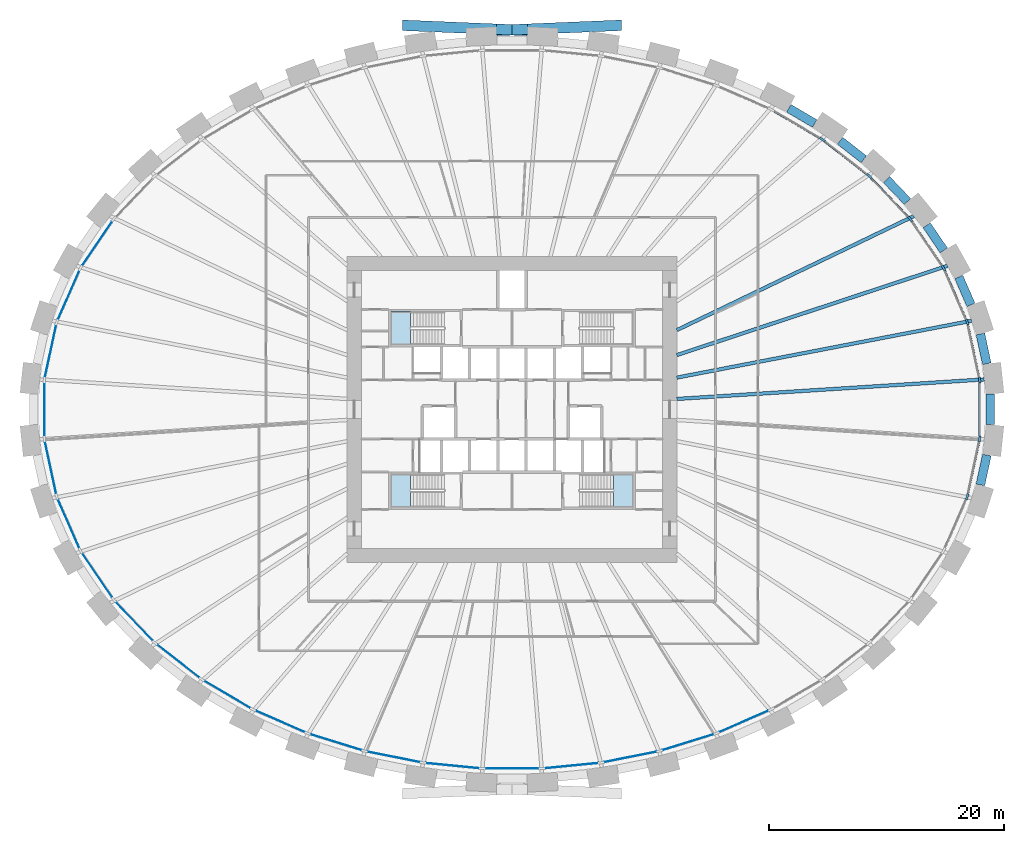
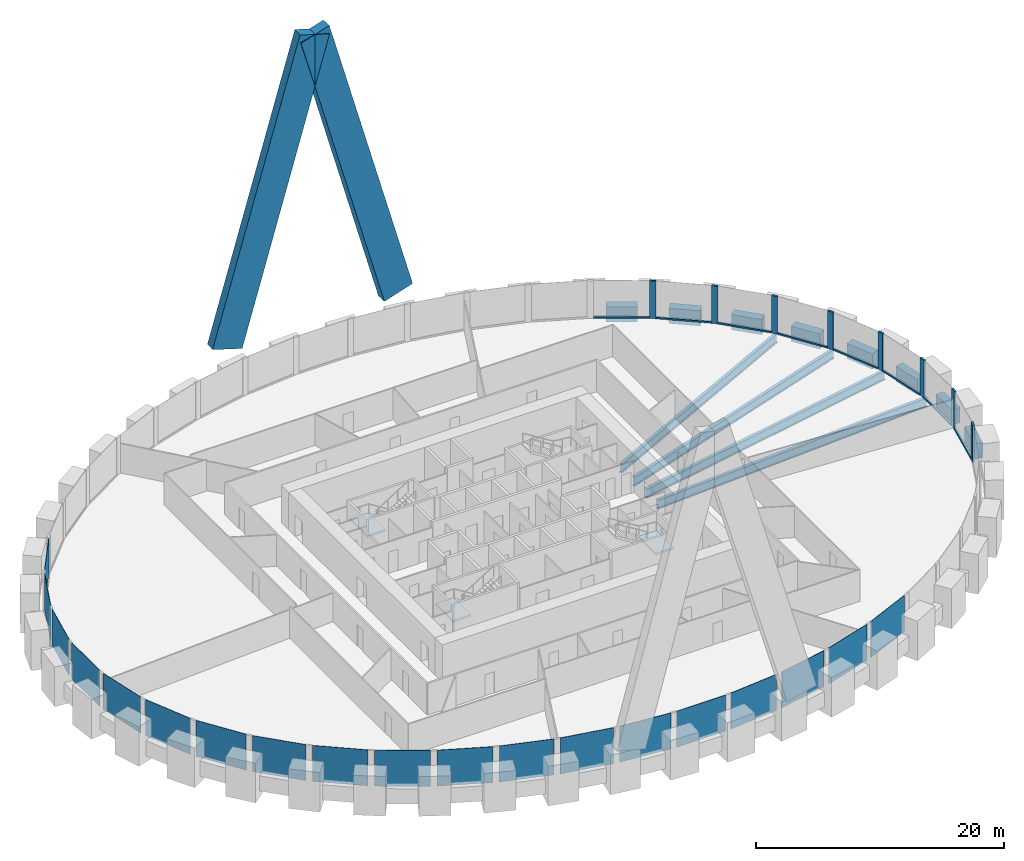
# One storey, part 4 of 10: 19 plates, 18 members, 12 beams, 3 slabs, 4 elements without a shape of their own.
"""IFC4 building model written with IfcOpenShell, lengths in metres."""

from ifc_helpers import new_model, si_unit, direction, frame, origin, origin_2d, place, context, subcontext, project, spatial, polyline, rectangle, i_section, outline, extrude, source, transform, mapped, material, layer, layer_set, material_profile, profile_set, type_object, element, aggregate, save


model = new_model("IFC4")

# Units and contexts
model_context = context("Model", 3, precision=1e-05, world=origin(), true_north=direction((0.0, 1.0)))
body_context = subcontext(model_context, "Body", "Model", "MODEL_VIEW")
ifc_project = project(units=[si_unit("LENGTHUNIT", "METRE"), si_unit("AREAUNIT", "SQUARE_METRE"), si_unit("VOLUMEUNIT", "CUBIC_METRE"), si_unit("PLANEANGLEUNIT", "RADIAN"), si_unit("MASSUNIT", "GRAM", prefix="KILO")], contexts=[model_context])

# Site, building, storey
site_placement = place(None, origin())
site = spatial("IfcSite", under=ifc_project, at=site_placement, CompositionType="ELEMENT")
building_placement = place(site_placement, origin())
building = spatial("IfcBuilding", under=site, at=building_placement, Name="Embergate Tower", CompositionType="ELEMENT")
storey_placement = place(building_placement, frame((0.0, 0.0, 89.300048828125)))
storey = spatial("IfcBuildingStorey", under=building, at=storey_placement, Name="L18", CompositionType="ELEMENT", Elevation=89.300048828125)

# Beams
ifc_material_1 = material(Name="Concrete C70", Category="concrete")
ifc_material_profile_1 = material_profile(ifc_material_1, rectangle(XDim=0.75, YDim=1.5, at=origin_2d()), Name="RC 750x1500")
ifc_profile_set_1 = profile_set([ifc_material_profile_1], Name="Concrete C70")
beam_type_1 = type_object("IfcBeamType", Name="Spandrel beam RC 750x1500 C70", PredefinedType="BEAM", material=ifc_profile_set_1)
shared_shape_1 = source(origin(), body_context, "Body", "SweptSolid", [
    extrude(rectangle(XDim=0.75, YDim=1.5, at=origin_2d()), origin(), (0.0, 0.0, 1.0), 2.5869140625),
])
for number, where, z_axis, x_axis, name in (
    (1, (40.343017578125, 3.8798828125, 0.0), (-0.210270227171, 0.977643304874, 0.0), (-0.977643304874, -0.210270227171, 0.0), "SPN-L18-00"),
    (2, (39.799072265625, -6.408935546875, 0.0), (0.210270227171, 0.977643304874, 0.0), (-0.977643304874, 0.210270227171, 0.0), "SPN-L18-42"),
):
    element("IfcBeam", number, at=place(storey_placement, frame(where, z_axis=z_axis, x_axis=x_axis)), inside=storey, type_object=beam_type_1, Name=name, PredefinedType="BEAM", context=body_context, shape_type="MappedRepresentation", body=[
        mapped(shared_shape_1, transform((0.0, 0.0, 0.0))),
    ])
shared_shape_2 = source(origin(), body_context, "Body", "SweptSolid", [
    extrude(rectangle(XDim=0.75, YDim=1.5, at=origin_2d()), origin(), (0.0, 0.0, 1.0), 2.583251953125),
])
beam_1_placement = place(storey_placement, frame((38.9990234375, 8.883056640625, 0.0), z_axis=(-0.401468201792, 0.915872962233, 0.0), x_axis=(-0.915872962233, -0.401468201792, 0.0)))
element("IfcBeam", 3, at=beam_1_placement, inside=storey, type_object=beam_type_1, Name="SPN-L18-01", PredefinedType="BEAM", context=body_context, shape_type="MappedRepresentation", body=[
    mapped(shared_shape_2, transform((0.0, 0.0, 0.0))),
])
shared_shape_3 = source(origin(), body_context, "Body", "SweptSolid", [
    extrude(rectangle(XDim=0.75, YDim=1.5, at=origin_2d()), origin(), (0.0, 0.0, 1.0), 2.574951171875),
])
beam_2_placement = place(storey_placement, frame((36.68603515625, 13.513916015625, 0.0), z_axis=(-0.562356702599, 0.826894756932, 0.0), x_axis=(-0.826894756932, -0.562356702599, 0.0)))
element("IfcBeam", 4, at=beam_2_placement, inside=storey, type_object=beam_type_1, Name="SPN-L18-02", PredefinedType="BEAM", context=body_context, shape_type="MappedRepresentation", body=[
    mapped(shared_shape_3, transform((0.0, 0.0, 0.0))),
])
shared_shape_4 = source(origin(), body_context, "Body", "SweptSolid", [
    extrude(rectangle(XDim=0.75, YDim=1.5, at=origin_2d()), origin(), (0.0, 0.0, 1.0), 2.568115234375),
])
beam_3_placement = place(storey_placement, frame((33.60400390625, 17.6650390625, 0.0), z_axis=(-0.68998268655, 0.723825871506, 0.0), x_axis=(-0.723825871506, -0.68998268655, 0.0)))
element("IfcBeam", 5, at=beam_3_placement, inside=storey, type_object=beam_type_1, Name="SPN-L18-03", PredefinedType="BEAM", context=body_context, shape_type="MappedRepresentation", body=[
    mapped(shared_shape_4, transform((0.0, 0.0, 0.0))),
])
shared_shape_5 = source(origin(), body_context, "Body", "SweptSolid", [
    extrude(rectangle(XDim=0.75, YDim=1.5, at=origin_2d()), origin(), (0.0, 0.0, 1.0), 2.560791015625),
])
beam_4_placement = place(storey_placement, frame((29.89111328125, 21.25390625, 0.0), z_axis=(-0.788437573921, 0.615114779557, 0.0), x_axis=(-0.615114779557, -0.788437573921, 0.0)))
element("IfcBeam", 6, at=beam_4_placement, inside=storey, type_object=beam_type_1, Name="SPN-L18-04", PredefinedType="BEAM", context=body_context, shape_type="MappedRepresentation", body=[
    mapped(shared_shape_5, transform((0.0, 0.0, 0.0))),
])
shared_shape_6 = source(origin(), body_context, "Body", "SweptSolid", [
    extrude(rectangle(XDim=0.75, YDim=1.5, at=origin_2d()), origin(), (0.0, 0.0, 1.0), 2.55517578125),
])
beam_5_placement = place(storey_placement, frame((25.721923828125, 24.291015625, 0.0), z_axis=(-0.862086455961, 0.506761228241, 0.0), x_axis=(-0.506761228241, -0.862086455961, 0.0)))
element("IfcBeam", 7, at=beam_5_placement, inside=storey, type_object=beam_type_1, Name="SPN-L18-05", PredefinedType="BEAM", context=body_context, shape_type="MappedRepresentation", body=[
    mapped(shared_shape_6, transform((0.0, 0.0, 0.0))),
])
shared_shape_7 = source(origin(), body_context, "Body", "SweptSolid", [
    extrude(rectangle(XDim=0.75, YDim=1.5, at=origin_2d()), origin(), (0.0, 0.0, 1.0), 2.59423828125),
])
beam_6_placement = place(storey_placement, frame((40.637939453125, -1.297119140625, 0.0), z_axis=(0.0, 1.0, 0.0), x_axis=(-1.0, 0.0, 0.0)))
element("IfcBeam", 8, at=beam_6_placement, inside=storey, type_object=beam_type_1, Name="SPN-L18-43", PredefinedType="BEAM", context=body_context, shape_type="MappedRepresentation", body=[
    mapped(shared_shape_7, transform((0.0, 0.0, 0.0))),
])
ifc_material_2 = material(Name="Steel Q355B", Category="steel")
ifc_material_profile_2 = material_profile(ifc_material_2, i_section(OverallWidth=0.300048828125, OverallDepth=0.89990234375, WebThickness=0.01611328125, FlangeThickness=0.028076171875, FilletRadius=0.028076171875, at=origin_2d()), Name="HN 900x300x16x28")
ifc_profile_set_2 = profile_set([ifc_material_profile_2], Name="Steel Q355 grade B")
beam_type_2 = type_object("IfcBeamType", Name="Radial girder HN 900x300x16x28", PredefinedType="BEAM", material=ifc_profile_set_2)
shared_shape_8 = source(origin(), body_context, "Body", "SweptSolid", [
    extrude(i_section(OverallWidth=0.300048828125, OverallDepth=0.89990234375, WebThickness=0.01611328125, FlangeThickness=0.028076171875, FilletRadius=0.028076171875, at=origin_2d()), origin(), (0.0, 0.0, 1.0), 26.17578125),
])
beam_7_placement = place(storey_placement, frame((40.123046875, 2.549072265625, -0.650146484375), z_axis=(-0.997989066798, -0.063386296243, 0.0), x_axis=(0.063386296243, -0.997989066798, 0.0)))
element("IfcBeam", 9, at=beam_7_placement, inside=storey, type_object=beam_type_2, Name="GIR-L18-00", PredefinedType="BEAM", context=body_context, shape_type="MappedRepresentation", body=[
    mapped(shared_shape_8, transform((0.0, 0.0, 0.0))),
])
shared_shape_9 = source(origin(), body_context, "Body", "SweptSolid", [
    extrude(i_section(OverallWidth=0.300048828125, OverallDepth=0.89990234375, WebThickness=0.01611328125, FlangeThickness=0.028076171875, FilletRadius=0.028076171875, at=origin_2d()), origin(), (0.0, 0.0, 1.0), 25.5126953125),
])
beam_8_placement = place(storey_placement, frame((39.051025390625, 7.532958984375, -0.650146484375), z_axis=(-0.981900703084, -0.189396434187, 0.0), x_axis=(0.189396434187, -0.981900703084, 0.0)))
element("IfcBeam", 10, at=beam_8_placement, inside=storey, type_object=beam_type_2, Name="GIR-L18-01", PredefinedType="BEAM", context=body_context, shape_type="MappedRepresentation", body=[
    mapped(shared_shape_9, transform((0.0, 0.0, 0.0))),
])
shared_shape_10 = source(origin(), body_context, "Body", "SweptSolid", [
    extrude(i_section(OverallWidth=0.300048828125, OverallDepth=0.89990234375, WebThickness=0.01611328125, FlangeThickness=0.028076171875, FilletRadius=0.028076171875, at=origin_2d()), origin(), (0.0, 0.0, 1.0), 24.221435546875),
])
beam_9_placement = place(storey_placement, frame((37.0029296875, 12.202880859375, -0.650146484375), z_axis=(-0.949690422, -0.313190201575, 0.0), x_axis=(0.313190201575, -0.949690422, 0.0)))
element("IfcBeam", 11, at=beam_9_placement, inside=storey, type_object=beam_type_2, Name="GIR-L18-02", PredefinedType="BEAM", context=body_context, shape_type="MappedRepresentation", body=[
    mapped(shared_shape_10, transform((0.0, 0.0, 0.0))),
])
shared_shape_11 = source(origin(), body_context, "Body", "SweptSolid", [
    extrude(i_section(OverallWidth=0.300048828125, OverallDepth=0.89990234375, WebThickness=0.01611328125, FlangeThickness=0.028076171875, FilletRadius=0.028076171875, at=origin_2d()), origin(), (0.0, 0.0, 1.0), 22.343505859375),
])
beam_10_placement = place(storey_placement, frame((34.135009765625, 16.4208984375, -0.650146484375), z_axis=(-0.901156313857, -0.433494288308, 0.0), x_axis=(0.433494288308, -0.901156313857, 0.0)))
element("IfcBeam", 12, at=beam_10_placement, inside=storey, type_object=beam_type_2, Name="GIR-L18-03", PredefinedType="BEAM", context=body_context, shape_type="MappedRepresentation", body=[
    mapped(shared_shape_11, transform((0.0, 0.0, 0.0))),
])

# Members
ifc_material_profile_3 = material_profile(ifc_material_1, rectangle(XDim=0.89990234375, YDim=2.800048828125, at=origin_2d()), Name="RC 900x2800")
ifc_profile_set_3 = profile_set([ifc_material_profile_3], Name="Concrete C70")
member_type_1 = type_object("IfcMemberType", Name="Lattice diagonal terracotta-faced RC 900x2800", PredefinedType="BRACE", material=ifc_profile_set_3)
shared_shape_12 = source(origin(), body_context, "Body", "SweptSolid", [
    extrude(rectangle(XDim=0.89990234375, YDim=2.800048828125, at=origin_2d()), origin(), (0.0, 0.0, 1.0), 29.514892578125),
])
for number, where, z_axis, x_axis, name in (
    (13, (7.95703125, 32.5830078125, 3.3798828125), (-0.269593534164, -0.011249607464, 0.962908496519), (0.041691749772, -0.999130521004, 0.0), "BRP-N-0-04"),
    (14, (-7.95703125, 32.5830078125, 3.3798828125), (0.269593534164, -0.011249607464, 0.962908496519), (0.041691749772, 0.999130521004, 0.0), "BRP-N-1-04"),
):
    element("IfcMember", number, at=place(storey_placement, frame(where, z_axis=z_axis, x_axis=x_axis)), inside=storey, type_object=member_type_1, Name=name, PredefinedType="BRACE", context=body_context, shape_type="MappedRepresentation", body=[
        mapped(shared_shape_12, transform((0.0, 0.0, 0.0))),
    ])

# Curtain wall, members, plates
ifc_material_3 = material(Name="Aluminium and glass", Category="aluminium")
curtain_wall_type = type_object("IfcCurtainWallType", Name="Recessed office glazing", PredefinedType="NOTDEFINED", material=ifc_material_3)
curtain_wall_placement = place(storey_placement, origin())
curtain_wall = element("IfcCurtainWall", 15, at=curtain_wall_placement, inside=storey, type_object=curtain_wall_type, Name="Recessed office glazing ring", ObjectType="RECESSED OFFICE GLAZING", PredefinedType="USERDEFINED")
ifc_material_4 = material(Name="Aluminium, thermally broken", Category="aluminium")
ifc_material_profile_4 = material_profile(ifc_material_4, rectangle(XDim=0.179931640625, YDim=0.52001953125, at=origin_2d()), Name="AL 520x180")
ifc_profile_set_4 = profile_set([ifc_material_profile_4], Name="Aluminium, thermally broken")
member_type_2 = type_object("IfcMemberType", Name="Office mullion", PredefinedType="MULLION", material=ifc_profile_set_4)
shared_shape_13 = source(origin(), body_context, "Body", "SweptSolid", [
    extrude(rectangle(XDim=0.179931640625, YDim=0.52001953125, at=origin_2d()), origin(), (0.0, 0.0, 1.0), 3.699951171875),
])
member_1_placement = place(storey_placement, frame((39.735595703125, 2.507080078125, 0.0), z_axis=(0.0, 0.0, 1.0), x_axis=(-0.994385139431, -0.105821521816, 0.0)))
member_1 = element("IfcMember", 16, at=member_1_placement, type_object=member_type_2, Name="CW mullion 1", PredefinedType="MULLION", context=body_context, shape_type="MappedRepresentation", body=[
    mapped(shared_shape_13, transform((0.0, 0.0, 0.0))),
])
member_2_placement = place(storey_placement, frame((38.68017578125, 7.412109375, 0.0), z_axis=(0.0, 0.0, 1.0), x_axis=(-0.95149940886, -0.307650572791, 0.0)))
member_2 = element("IfcMember", 17, at=member_2_placement, type_object=member_type_2, Name="CW mullion 2", PredefinedType="MULLION", context=body_context, shape_type="MappedRepresentation", body=[
    mapped(shared_shape_13, transform((0.0, 0.0, 0.0))),
])
member_3_placement = place(storey_placement, frame((36.662109375, 12.012939453125, 0.0), z_axis=(0.0, 0.0, 1.0), x_axis=(-0.875005275602, -0.484113383071, 0.0)))
member_3 = element("IfcMember", 18, at=member_3_placement, type_object=member_type_2, Name="CW mullion 3", PredefinedType="MULLION", context=body_context, shape_type="MappedRepresentation", body=[
    mapped(shared_shape_13, transform((0.0, 0.0, 0.0))),
])
member_4_placement = place(storey_placement, frame((33.831787109375, 16.1748046875, 0.0), z_axis=(0.0, 0.0, 1.0), x_axis=(-0.777875854755, -0.628417977615, 0.0)))
member_4 = element("IfcMember", 19, at=member_4_placement, type_object=member_type_2, Name="CW mullion 4", PredefinedType="MULLION", context=body_context, shape_type="MappedRepresentation", body=[
    mapped(shared_shape_13, transform((0.0, 0.0, 0.0))),
])
member_5_placement = place(storey_placement, frame((30.352294921875, 19.823486328125, 0.0), z_axis=(0.0, 0.0, 1.0), x_axis=(-0.671229121411, -0.741249935292, 0.0)))
member_5 = element("IfcMember", 20, at=member_5_placement, type_object=member_type_2, Name="CW mullion 5", PredefinedType="MULLION", context=body_context, shape_type="MappedRepresentation", body=[
    mapped(shared_shape_13, transform((0.0, 0.0, 0.0))),
])
member_6_placement = place(storey_placement, frame((26.37158203125, 22.930419921875, 0.0), z_axis=(0.0, 0.0, 1.0), x_axis=(-0.562217618544, -0.826989328467, 0.0)))
member_6 = element("IfcMember", 21, at=member_6_placement, type_object=member_type_2, Name="CW mullion 6", PredefinedType="MULLION", context=body_context, shape_type="MappedRepresentation", body=[
    mapped(shared_shape_13, transform((0.0, 0.0, 0.0))),
])
member_7_placement = place(storey_placement, frame((38.68017578125, -7.412109375, 0.0), z_axis=(0.0, 0.0, 1.0), x_axis=(-0.95149940886, 0.307650572791, 0.0)))
member_7 = element("IfcMember", 22, at=member_7_placement, type_object=member_type_2, Name="CW mullion 43", PredefinedType="MULLION", context=body_context, shape_type="MappedRepresentation", body=[
    mapped(shared_shape_13, transform((0.0, 0.0, 0.0))),
])
member_8_placement = place(storey_placement, frame((39.735595703125, -2.507080078125, 0.0), z_axis=(0.0, 0.0, 1.0), x_axis=(-0.994385139431, 0.105821521816, 0.0)))
member_8 = element("IfcMember", 23, at=member_8_placement, type_object=member_type_2, Name="CW mullion 44", PredefinedType="MULLION", context=body_context, shape_type="MappedRepresentation", body=[
    mapped(shared_shape_13, transform((0.0, 0.0, 0.0))),
])
ifc_material_profile_5 = material_profile(ifc_material_4, rectangle(XDim=0.179931640625, YDim=0.14990234375, at=origin_2d()), Name="AL 150x180")
ifc_profile_set_5 = profile_set([ifc_material_profile_5], Name="Aluminium, thermally broken")
member_type_3 = type_object("IfcMemberType", Name="Office sill transom", PredefinedType="USERDEFINED", material=ifc_profile_set_5)
shared_shape_14 = source(origin(), body_context, "Body", "SweptSolid", [
    extrude(rectangle(XDim=0.179931640625, YDim=0.14990234375, at=origin_2d()), origin(), (0.0, 0.0, 1.0), 4.529296875),
])
member_9_placement = place(storey_placement, frame((30.147216796875, 19.983642578125, 0.074951171875), z_axis=(-0.788306218653, 0.615283110148, 0.0), x_axis=(-0.615283110148, -0.788306218653, 0.0)))
member_9 = element("IfcMember", 24, at=member_9_placement, type_object=member_type_3, Name="CW transom 5.1", ObjectType="TRANSOM", PredefinedType="USERDEFINED", context=body_context, shape_type="MappedRepresentation", body=[
    mapped(shared_shape_14, transform((0.0, 0.0, 0.0))),
])
shared_shape_15 = source(origin(), body_context, "Body", "SweptSolid", [
    extrude(rectangle(XDim=0.179931640625, YDim=0.14990234375, at=origin_2d()), origin(), (0.0, 0.0, 1.0), 4.496826171875),
])
member_10_placement = place(storey_placement, frame((39.680908203125, 2.761474609375, 0.074951171875), z_axis=(-0.210378069806, 0.977620104, 0.0), x_axis=(-0.977620104, -0.210378069806, 0.0)))
member_10 = element("IfcMember", 25, at=member_10_placement, type_object=member_type_3, Name="CW transom 1.1", ObjectType="TRANSOM", PredefinedType="USERDEFINED", context=body_context, shape_type="MappedRepresentation", body=[
    mapped(shared_shape_15, transform((0.0, 0.0, 0.0))),
])
member_11_placement = place(storey_placement, frame((38.73486328125, -7.15771484375, 0.074951171875), z_axis=(0.210378069806, 0.977620104, 0.0), x_axis=(-0.977620104, 0.210378069806, 0.0)))
member_11 = element("IfcMember", 26, at=member_11_placement, type_object=member_type_3, Name="CW transom 43.1", ObjectType="TRANSOM", PredefinedType="USERDEFINED", context=body_context, shape_type="MappedRepresentation", body=[
    mapped(shared_shape_15, transform((0.0, 0.0, 0.0))),
])
shared_shape_16 = source(origin(), body_context, "Body", "SweptSolid", [
    extrude(rectangle(XDim=0.179931640625, YDim=0.14990234375, at=origin_2d()), origin(), (0.0, 0.0, 1.0), 4.504150390625),
])
member_12_placement = place(storey_placement, frame((38.57568359375, 7.650146484375, 0.074951171875), z_axis=(-0.401657507377, 0.915789957778, 0.0), x_axis=(-0.915789957778, -0.401657507377, 0.0)))
member_12 = element("IfcMember", 27, at=member_12_placement, type_object=member_type_3, Name="CW transom 2.1", ObjectType="TRANSOM", PredefinedType="USERDEFINED", context=body_context, shape_type="MappedRepresentation", body=[
    mapped(shared_shape_16, transform((0.0, 0.0, 0.0))),
])
shared_shape_17 = source(origin(), body_context, "Body", "SweptSolid", [
    extrude(rectangle(XDim=0.179931640625, YDim=0.14990234375, at=origin_2d()), origin(), (0.0, 0.0, 1.0), 4.51318359375),
])
member_13_placement = place(storey_placement, frame((36.515869140625, 12.22802734375, 0.074951171875), z_axis=(-0.562329256749, 0.82691342171, 0.0), x_axis=(-0.82691342171, -0.562329256749, 0.0)))
member_13 = element("IfcMember", 28, at=member_13_placement, type_object=member_type_3, Name="CW transom 3.1", ObjectType="TRANSOM", PredefinedType="USERDEFINED", context=body_context, shape_type="MappedRepresentation", body=[
    mapped(shared_shape_17, transform((0.0, 0.0, 0.0))),
])
shared_shape_18 = source(origin(), body_context, "Body", "SweptSolid", [
    extrude(rectangle(XDim=0.179931640625, YDim=0.14990234375, at=origin_2d()), origin(), (0.0, 0.0, 1.0), 4.52197265625),
])
member_14_placement = place(storey_placement, frame((33.65234375, 16.363037109375, 0.074951171875), z_axis=(-0.690144384651, 0.723671699277, 0.0), x_axis=(-0.723671699277, -0.690144384651, 0.0)))
member_14 = element("IfcMember", 29, at=member_14_placement, type_object=member_type_3, Name="CW transom 4.1", ObjectType="TRANSOM", PredefinedType="USERDEFINED", context=body_context, shape_type="MappedRepresentation", body=[
    mapped(shared_shape_18, transform((0.0, 0.0, 0.0))),
])
shared_shape_19 = source(origin(), body_context, "Body", "SweptSolid", [
    extrude(rectangle(XDim=0.179931640625, YDim=0.14990234375, at=origin_2d()), origin(), (0.0, 0.0, 1.0), 4.535400390625),
])
member_15_placement = place(storey_placement, frame((26.1474609375, 23.06201171875, 0.074951171875), z_axis=(-0.862028298447, 0.506860151004, 0.0), x_axis=(-0.506860151004, -0.862028298447, 0.0)))
member_15 = element("IfcMember", 30, at=member_15_placement, type_object=member_type_3, Name="CW transom 6.1", ObjectType="TRANSOM", PredefinedType="USERDEFINED", context=body_context, shape_type="MappedRepresentation", body=[
    mapped(shared_shape_19, transform((0.0, 0.0, 0.0))),
])
shared_shape_20 = source(origin(), body_context, "Body", "SweptSolid", [
    extrude(rectangle(XDim=0.179931640625, YDim=0.14990234375, at=origin_2d()), origin(), (0.0, 0.0, 1.0), 4.49462890625),
])
member_16_placement = place(storey_placement, frame((39.735595703125, -2.247314453125, 0.074951171875), z_axis=(0.0, 1.0, 0.0), x_axis=(-1.0, 0.0, 0.0)))
member_16 = element("IfcMember", 31, at=member_16_placement, type_object=member_type_3, Name="CW transom 44.1", ObjectType="TRANSOM", PredefinedType="USERDEFINED", context=body_context, shape_type="MappedRepresentation", body=[
    mapped(shared_shape_20, transform((0.0, 0.0, 0.0))),
])
ifc_material_5 = material(Name="Triple glazing, low-emissivity coating", Category="glass")
ifc_layer_1 = layer(ifc_material_5, 0.035888671875)
ifc_layer_set_1 = layer_set([ifc_layer_1], Name="Triple glazing, low-emissivity coating")
plate_type = type_object("IfcPlateType", Name="Office glazing unit", PredefinedType="CURTAIN_PANEL", material=ifc_layer_set_1)
shared_shape_21 = source(origin(), body_context, "Body", "SweptSolid", [
    extrude(rectangle(XDim=4.529296875, YDim=0.035888671875, at=origin_2d()), origin(), (0.0, 0.0, 1.0), 3.550048828125),
])
plate_1_placement = place(storey_placement, frame((-28.36181640625, -21.376953125, 0.14990234375), z_axis=(0.0, 0.0, 1.0), x_axis=(0.788321193094, -0.615263924279, 0.0)))
plate_1 = element("IfcPlate", 32, at=plate_1_placement, type_object=plate_type, Name="CW panel 27.1", PredefinedType="CURTAIN_PANEL", context=body_context, shape_type="MappedRepresentation", body=[
    mapped(shared_shape_21, transform((0.0, 0.0, 0.0))),
])
shared_shape_22 = source(origin(), body_context, "Body", "SweptSolid", [
    extrude(rectangle(XDim=4.4970703125, YDim=0.035888671875, at=origin_2d()), origin(), (0.0, 0.0, 1.0), 3.550048828125),
])
plate_2_placement = place(storey_placement, frame((-39.2080078125, 4.959716796875, 0.14990234375), z_axis=(0.0, 0.0, 1.0), x_axis=(-0.210398391177, -0.97761573074, 0.0)))
plate_2 = element("IfcPlate", 33, at=plate_2_placement, type_object=plate_type, Name="CW panel 21.1", PredefinedType="CURTAIN_PANEL", context=body_context, shape_type="MappedRepresentation", body=[
    mapped(shared_shape_22, transform((0.0, 0.0, 0.0))),
])
plate_3_placement = place(storey_placement, frame((-39.2080078125, -4.959716796875, 0.14990234375), z_axis=(0.0, 0.0, 1.0), x_axis=(0.210398391177, -0.97761573074, 0.0)))
plate_3 = element("IfcPlate", 34, at=plate_3_placement, type_object=plate_type, Name="CW panel 23.1", PredefinedType="CURTAIN_PANEL", context=body_context, shape_type="MappedRepresentation", body=[
    mapped(shared_shape_22, transform((0.0, 0.0, 0.0))),
])
shared_shape_23 = source(origin(), body_context, "Body", "SweptSolid", [
    extrude(rectangle(XDim=4.504150390625, YDim=0.035888671875, at=origin_2d()), origin(), (0.0, 0.0, 1.0), 3.550048828125),
])
plate_4_placement = place(storey_placement, frame((-37.671142578125, 9.71240234375, 0.14990234375), z_axis=(0.0, 0.0, 1.0), x_axis=(-0.401652101157, -0.91579232888, 0.0)))
plate_4 = element("IfcPlate", 35, at=plate_4_placement, type_object=plate_type, Name="CW panel 20.1", PredefinedType="CURTAIN_PANEL", context=body_context, shape_type="MappedRepresentation", body=[
    mapped(shared_shape_23, transform((0.0, 0.0, 0.0))),
])
plate_5_placement = place(storey_placement, frame((-37.671142578125, -9.71240234375, 0.14990234375), z_axis=(0.0, 0.0, 1.0), x_axis=(0.401652101157, -0.91579232888, 0.0)))
plate_5 = element("IfcPlate", 36, at=plate_5_placement, type_object=plate_type, Name="CW panel 24.1", PredefinedType="CURTAIN_PANEL", context=body_context, shape_type="MappedRepresentation", body=[
    mapped(shared_shape_23, transform((0.0, 0.0, 0.0))),
])
shared_shape_24 = source(origin(), body_context, "Body", "SweptSolid", [
    extrude(rectangle(XDim=4.51318359375, YDim=0.035888671875, at=origin_2d()), origin(), (0.0, 0.0, 1.0), 3.550048828125),
])
plate_6_placement = place(storey_placement, frame((-35.246826171875, 14.093994140625, 0.14990234375), z_axis=(0.0, 0.0, 1.0), x_axis=(-0.562343185136, -0.826903949762, 0.0)))
plate_6 = element("IfcPlate", 37, at=plate_6_placement, type_object=plate_type, Name="CW panel 19.1", PredefinedType="CURTAIN_PANEL", context=body_context, shape_type="MappedRepresentation", body=[
    mapped(shared_shape_24, transform((0.0, 0.0, 0.0))),
])
plate_7_placement = place(storey_placement, frame((-35.246826171875, -14.093994140625, 0.14990234375), z_axis=(0.0, 0.0, 1.0), x_axis=(0.562343185136, -0.826903949762, 0.0)))
plate_7 = element("IfcPlate", 38, at=plate_7_placement, type_object=plate_type, Name="CW panel 25.1", PredefinedType="CURTAIN_PANEL", context=body_context, shape_type="MappedRepresentation", body=[
    mapped(shared_shape_24, transform((0.0, 0.0, 0.0))),
])
shared_shape_25 = source(origin(), body_context, "Body", "SweptSolid", [
    extrude(rectangle(XDim=4.52197265625, YDim=0.035888671875, at=origin_2d()), origin(), (0.0, 0.0, 1.0), 3.550048828125),
])
plate_8_placement = place(storey_placement, frame((-32.092041015625, -17.999267578125, 0.14990234375), z_axis=(0.0, 0.0, 1.0), x_axis=(0.690135047526, -0.723680603703, 0.0)))
plate_8 = element("IfcPlate", 39, at=plate_8_placement, type_object=plate_type, Name="CW panel 26.1", PredefinedType="CURTAIN_PANEL", context=body_context, shape_type="MappedRepresentation", body=[
    mapped(shared_shape_25, transform((0.0, 0.0, 0.0))),
])
shared_shape_26 = source(origin(), body_context, "Body", "SweptSolid", [
    extrude(rectangle(XDim=4.535400390625, YDim=0.035888671875, at=origin_2d()), origin(), (0.0, 0.0, 1.0), 3.550048828125),
])
plate_9_placement = place(storey_placement, frame((-24.192626953125, -24.21142578125, 0.14990234375), z_axis=(0.0, 0.0, 1.0), x_axis=(0.862053167811, -0.50681785275, 0.0)))
plate_9 = element("IfcPlate", 40, at=plate_9_placement, type_object=plate_type, Name="CW panel 28.1", PredefinedType="CURTAIN_PANEL", context=body_context, shape_type="MappedRepresentation", body=[
    mapped(shared_shape_26, transform((0.0, 0.0, 0.0))),
])
shared_shape_27 = source(origin(), body_context, "Body", "SweptSolid", [
    extrude(rectangle(XDim=4.5400390625, YDim=0.035888671875, at=origin_2d()), origin(), (0.0, 0.0, 1.0), 3.550048828125),
])
plate_10_placement = place(storey_placement, frame((-19.6953125, -26.506103515625, 0.14990234375), z_axis=(0.0, 0.0, 1.0), x_axis=(0.916236211741, -0.400638495772, 0.0)))
plate_10 = element("IfcPlate", 41, at=plate_10_placement, type_object=plate_type, Name="CW panel 29.1", PredefinedType="CURTAIN_PANEL", context=body_context, shape_type="MappedRepresentation", body=[
    mapped(shared_shape_27, transform((0.0, 0.0, 0.0))),
])
plate_11_placement = place(storey_placement, frame((19.6953125, -26.506103515625, 0.14990234375), z_axis=(0.0, 0.0, 1.0), x_axis=(0.916236211741, 0.400638495772, 0.0)))
plate_11 = element("IfcPlate", 42, at=plate_11_placement, type_object=plate_type, Name="CW panel 37.1", PredefinedType="CURTAIN_PANEL", context=body_context, shape_type="MappedRepresentation", body=[
    mapped(shared_shape_27, transform((0.0, 0.0, 0.0))),
])
shared_shape_28 = source(origin(), body_context, "Body", "SweptSolid", [
    extrude(rectangle(XDim=4.54345703125, YDim=0.035888671875, at=origin_2d()), origin(), (0.0, 0.0, 1.0), 3.550048828125),
])
plate_12_placement = place(storey_placement, frame((-14.960205078125, -28.272705078125, 0.14990234375), z_axis=(0.0, 0.0, 1.0), x_axis=(0.954772217174, -0.297338213676, 0.0)))
plate_12 = element("IfcPlate", 43, at=plate_12_placement, type_object=plate_type, Name="CW panel 30.1", PredefinedType="CURTAIN_PANEL", context=body_context, shape_type="MappedRepresentation", body=[
    mapped(shared_shape_28, transform((0.0, 0.0, 0.0))),
])
plate_13_placement = place(storey_placement, frame((14.960205078125, -28.272705078125, 0.14990234375), z_axis=(0.0, 0.0, 1.0), x_axis=(0.954772217174, 0.297338213676, 0.0)))
plate_13 = element("IfcPlate", 44, at=plate_13_placement, type_object=plate_type, Name="CW panel 36.1", PredefinedType="CURTAIN_PANEL", context=body_context, shape_type="MappedRepresentation", body=[
    mapped(shared_shape_28, transform((0.0, 0.0, 0.0))),
])
shared_shape_29 = source(origin(), body_context, "Body", "SweptSolid", [
    extrude(rectangle(XDim=4.545654296875, YDim=0.035888671875, at=origin_2d()), origin(), (0.0, 0.0, 1.0), 3.550048828125),
])
plate_14_placement = place(storey_placement, frame((-10.0595703125, -29.5234375, 0.14990234375), z_axis=(0.0, 0.0, 1.0), x_axis=(0.980475907409, -0.196639250889, 0.0)))
plate_14 = element("IfcPlate", 45, at=plate_14_placement, type_object=plate_type, Name="CW panel 31.1", PredefinedType="CURTAIN_PANEL", context=body_context, shape_type="MappedRepresentation", body=[
    mapped(shared_shape_29, transform((0.0, 0.0, 0.0))),
])
plate_15_placement = place(storey_placement, frame((10.0595703125, -29.5234375, 0.14990234375), z_axis=(0.0, 0.0, 1.0), x_axis=(0.980475907409, 0.196639250889, 0.0)))
plate_15 = element("IfcPlate", 46, at=plate_15_placement, type_object=plate_type, Name="CW panel 35.1", PredefinedType="CURTAIN_PANEL", context=body_context, shape_type="MappedRepresentation", body=[
    mapped(shared_shape_29, transform((0.0, 0.0, 0.0))),
])
shared_shape_30 = source(origin(), body_context, "Body", "SweptSolid", [
    extrude(rectangle(XDim=4.546875, YDim=0.035888671875, at=origin_2d()), origin(), (0.0, 0.0, 1.0), 3.550048828125),
])
plate_16_placement = place(storey_placement, frame((-5.054931640625, -30.269287109375, 0.14990234375), z_axis=(0.0, 0.0, 1.0), x_axis=(0.995203184788, -0.097829550688, 0.0)))
plate_16 = element("IfcPlate", 47, at=plate_16_placement, type_object=plate_type, Name="CW panel 32.1", PredefinedType="CURTAIN_PANEL", context=body_context, shape_type="MappedRepresentation", body=[
    mapped(shared_shape_30, transform((0.0, 0.0, 0.0))),
])
plate_17_placement = place(storey_placement, frame((5.054931640625, -30.269287109375, 0.14990234375), z_axis=(0.0, 0.0, 1.0), x_axis=(0.995203184788, 0.097829550688, 0.0)))
plate_17 = element("IfcPlate", 48, at=plate_17_placement, type_object=plate_type, Name="CW panel 34.1", PredefinedType="CURTAIN_PANEL", context=body_context, shape_type="MappedRepresentation", body=[
    mapped(shared_shape_30, transform((0.0, 0.0, 0.0))),
])
shared_shape_31 = source(origin(), body_context, "Body", "SweptSolid", [
    extrude(rectangle(XDim=4.54736328125, YDim=0.035888671875, at=origin_2d()), origin(), (0.0, 0.0, 1.0), 3.550048828125),
])
plate_18_placement = place(storey_placement, frame((0.0, -30.51708984375, 0.14990234375), z_axis=(0.0, 0.0, 1.0), x_axis=(1.0, 0.0, 0.0)))
plate_18 = element("IfcPlate", 49, at=plate_18_placement, type_object=plate_type, Name="CW panel 33.1", PredefinedType="CURTAIN_PANEL", context=body_context, shape_type="MappedRepresentation", body=[
    mapped(shared_shape_31, transform((0.0, 0.0, 0.0))),
])
shared_shape_32 = source(origin(), body_context, "Body", "SweptSolid", [
    extrude(rectangle(XDim=4.494384765625, YDim=0.035888671875, at=origin_2d()), origin(), (0.0, 0.0, 1.0), 3.550048828125),
])
plate_19_placement = place(storey_placement, frame((-39.735595703125, 0.0, 0.14990234375), z_axis=(0.0, 0.0, 1.0), x_axis=(0.0, -1.0, 0.0)))
plate_19 = element("IfcPlate", 50, at=plate_19_placement, type_object=plate_type, Name="CW panel 22.1", PredefinedType="CURTAIN_PANEL", context=body_context, shape_type="MappedRepresentation", body=[
    mapped(shared_shape_32, transform((0.0, 0.0, 0.0))),
])
aggregate(curtain_wall, [member_1, member_2, member_3, member_4, member_5, member_6, member_7, member_8, member_10, member_12, member_13, member_14, member_9, member_15, plate_6, plate_4, plate_2, plate_19, plate_3, plate_5, plate_7, plate_8, plate_1, plate_9, plate_10, plate_12, plate_14, plate_16, plate_18, plate_17, plate_15, plate_13, plate_11, member_11, member_16])

# Stair, slab
ifc_material_6 = material(Name="Exit stair")
stair_type = type_object("IfcStairType", Name="Exit stair", PredefinedType="HALF_TURN_STAIR", material=ifc_material_6)
stair_1_placement = place(storey_placement, origin())
stair_1 = element("IfcStair", 51, at=stair_1_placement, inside=storey, type_object=stair_type, Name="L18 Exit stair 1", PredefinedType="HALF_TURN_STAIR")
ifc_material_7 = material(Name="Concrete C40", Category="concrete")
ifc_layer_2 = layer(ifc_material_7, 0.199951171875)
ifc_layer_set_2 = layer_set([ifc_layer_2], Name="Concrete C40")
slab_type = type_object("IfcSlabType", Name="Stair landing reinforced concrete", PredefinedType="LANDING", material=ifc_layer_set_2)
shared_shape_33 = source(origin(), body_context, "Body", "SweptSolid", [
    extrude(outline(polyline([(0.0, 0.0), (1.68994140625, 0.0), (1.68994140625, 2.800048828125), (0.0, 2.800048828125), (0.0, 0.0)])), origin(), (0.0, 0.0, 1.0), 0.199951171875),
])
slab_1_placement = place(storey_placement, frame((-10.300048828125, 5.5, 1.75)))
slab_1 = element("IfcSlab", 52, at=slab_1_placement, type_object=slab_type, Name="ST1 landing 1", PredefinedType="LANDING", context=body_context, shape_type="MappedRepresentation", body=[
    mapped(shared_shape_33, transform((0.0, 0.0, 0.0))),
])
aggregate(stair_1, [slab_1])

stair_2_placement = place(storey_placement, origin())
stair_2 = element("IfcStair", 53, at=stair_2_placement, inside=storey, type_object=stair_type, Name="L18 Exit stair 3", PredefinedType="HALF_TURN_STAIR")
slab_2_placement = place(storey_placement, frame((-10.300048828125, -8.300048828125, 1.75)))
slab_2 = element("IfcSlab", 54, at=slab_2_placement, type_object=slab_type, Name="ST3 landing 1", PredefinedType="LANDING", context=body_context, shape_type="MappedRepresentation", body=[
    mapped(shared_shape_33, transform((0.0, 0.0, 0.0))),
])
aggregate(stair_2, [slab_2])

stair_3_placement = place(storey_placement, origin())
stair_3 = element("IfcStair", 55, at=stair_3_placement, inside=storey, type_object=stair_type, Name="L18 Exit stair 4", PredefinedType="HALF_TURN_STAIR")
slab_3_placement = place(storey_placement, frame((8.610107421875, -8.300048828125, 1.75)))
slab_3 = element("IfcSlab", 56, at=slab_3_placement, type_object=slab_type, Name="ST4 landing 1", PredefinedType="LANDING", context=body_context, shape_type="MappedRepresentation", body=[
    mapped(shared_shape_33, transform((0.0, 0.0, 0.0))),
])
aggregate(stair_3, [slab_3])

save(model, "model.ifc")
